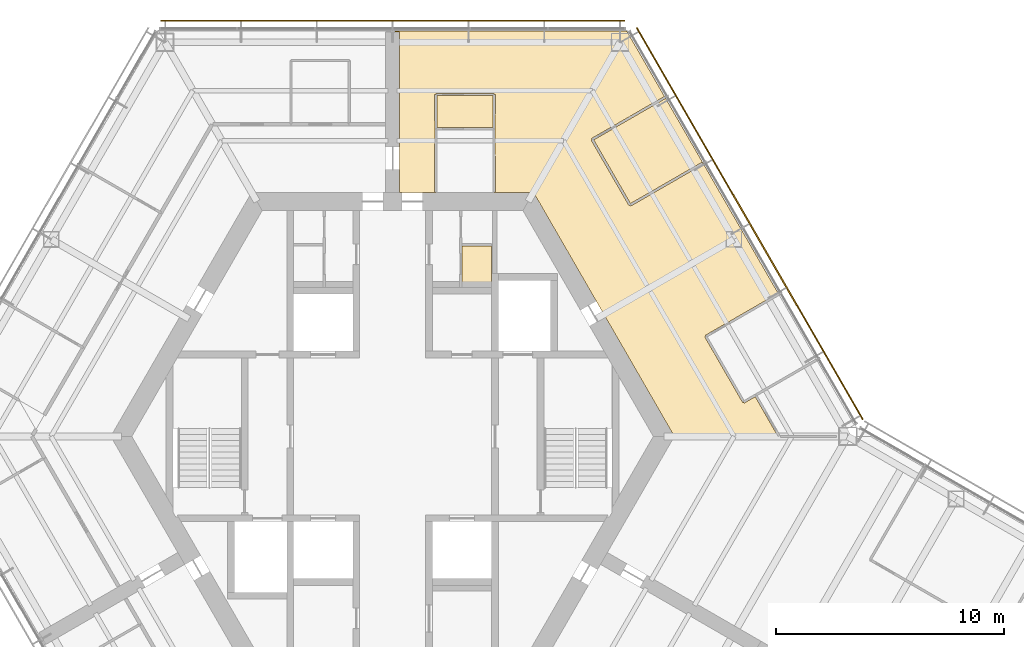
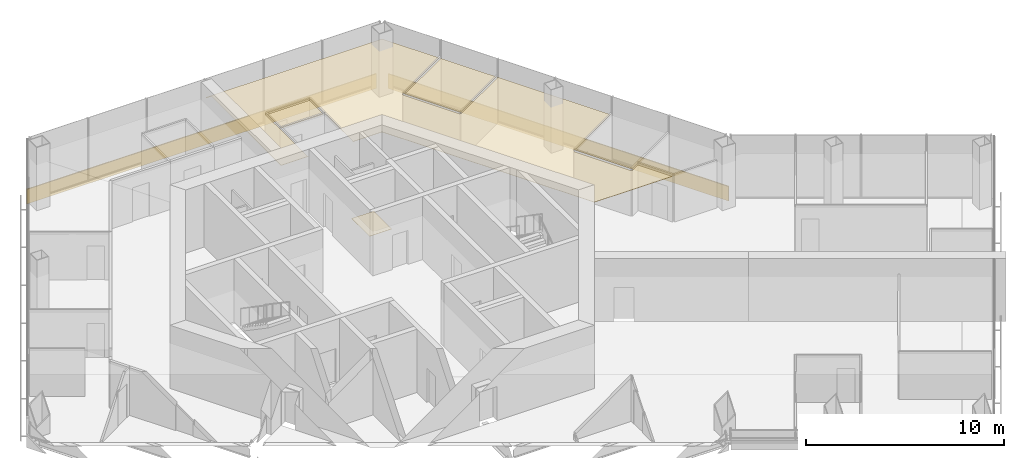
# One storey, part 16 of 16: 4 coverings, 2 shading devices.
"""IFC4 building model written with IfcOpenShell, lengths in metres."""

from ifc_helpers import new_model, si_unit, direction, frame, origin, origin_2d, place, context, subcontext, project, spatial, polyline, rectangle, outline, extrude, material, layer, layer_set, type_object, element, save


model = new_model("IFC4")

# Units and contexts
model_context = context("Model", 3, precision=1e-05, world=origin(), true_north=direction((0.0, 1.0)))
body_context = subcontext(model_context, "Body", "Model", "MODEL_VIEW")
ifc_project = project(units=[si_unit("LENGTHUNIT", "METRE"), si_unit("AREAUNIT", "SQUARE_METRE"), si_unit("VOLUMEUNIT", "CUBIC_METRE"), si_unit("PLANEANGLEUNIT", "RADIAN"), si_unit("MASSUNIT", "GRAM", prefix="KILO")], contexts=[model_context])

# Site, building, storey
site_placement = place(None, origin())
site = spatial("IfcSite", under=ifc_project, at=site_placement, CompositionType="ELEMENT")
building_placement = place(site_placement, origin())
building = spatial("IfcBuilding", under=site, at=building_placement, Name="Kasaneha Research Tower", CompositionType="ELEMENT")
storey_placement = place(building_placement, frame((0.0, 0.0, 247.89990234375)))
storey = spatial("IfcBuildingStorey", under=building, at=storey_placement, Name="L62", CompositionType="ELEMENT", Elevation=247.89990234375)

# Coverings
ifc_material_1 = material(Name="Gypsum ceiling board", Category="gypsum")
ifc_layer_1 = layer(ifc_material_1, 0.02001953125)
ifc_layer_set_1 = layer_set([ifc_layer_1], Name="Suspended ceiling 20")
covering_type_1 = type_object("IfcCoveringType", Name="Suspended ceiling 20", PredefinedType="CEILING", material=ifc_layer_set_1)
covering_1_placement = place(storey_placement, frame((0.0, 0.0, 2.800048828125)))
element("IfcCovering", 1, at=covering_1_placement, inside=storey, type_object=covering_type_1, Name="Ceiling L62-27", PredefinedType="CEILING", context=body_context, shape_type="SweptSolid", body=[
    extrude(outline(polyline([(1.9501953125, 14.97509765625), (4.414794921875, 14.97509765625), (4.41064453125, 13.570068359375), (1.954345703125, 13.570068359375), (1.9501953125, 14.97509765625)])), origin(), (0.0, 0.0, 1.0), 0.02001953125),
])
covering_2_placement = place(storey_placement, frame((0.0, 0.0, 2.800048828125)))
element("IfcCovering", 2, at=covering_2_placement, inside=storey, type_object=covering_type_1, Name="Ceiling L62-29", PredefinedType="CEILING", context=body_context, shape_type="SweptSolid", body=[
    extrude(outline(polyline([(13.640869140625, 12.0146484375), (13.623291015625, 12.004638671875), (13.598388671875, 12.0478515625), (10.454833984375, 10.23291015625), (8.83935546875, 13.031005859375), (12.000244140625, 14.85595703125), (13.640869140625, 12.0146484375)])), origin(), (0.0, 0.0, 1.0), 0.02001953125),
])
covering_3_placement = place(storey_placement, frame((0.0, 0.0, 2.800048828125)))
element("IfcCovering", 3, at=covering_3_placement, inside=storey, type_object=covering_type_1, Name="Ceiling L62-31", PredefinedType="CEILING", context=body_context, shape_type="SweptSolid", body=[
    extrude(outline(polyline([(4.465576171875, 10.72509765625), (4.465576171875, 10.7451171875), (4.514892578125, 10.7451171875), (4.510498046875, 13.52490234375), (4.514892578125, 15.02490234375), (4.46533203125, 15.02490234375), (4.46533203125, 15.025390625), (4.465087890625, 15.025390625), (4.465087890625, 15.074951171875), (1.89990234375, 15.074951171875), (1.89990234375, 15.025390625), (1.899658203125, 15.025390625), (1.899658203125, 15.02490234375), (1.85009765625, 15.02490234375), (1.8544921875, 13.52490234375), (1.85009765625, 10.7451171875), (1.8994140625, 10.7451171875), (1.8994140625, 10.72509765625), (0.300048828125, 10.72509765625), (0.300048828125, 11.72509765625), (0.300048828125, 12.72509765625), (0.300048828125, 17.7705078125), (0.300048828125, 17.7705078125), (0.0, 17.7705078125), (0.0, 17.820556640625), (10.28857421875, 17.820556640625), (11.9501953125, 14.9423828125), (8.74609375, 13.092529296875), (8.770751953125, 13.049560546875), (8.7705078125, 13.04931640625), (8.770751953125, 13.049072265625), (8.727783203125, 13.024169921875), (10.393310546875, 10.139404296875), (10.4365234375, 10.16455078125), (10.46142578125, 10.12109375), (13.6484375, 11.961181640625), (13.62353515625, 12.004150390625), (13.64111328125, 12.01416015625), (16.94677734375, 6.28857421875), (13.742431640625, 4.4384765625), (13.767333984375, 4.3955078125), (13.766845703125, 4.395263671875), (13.76708984375, 4.39501953125), (13.72412109375, 4.3701171875), (15.3896484375, 1.485595703125), (15.432373046875, 1.51025390625), (15.432373046875, 1.51025390625), (15.432861328125, 1.510498046875), (15.4580078125, 1.46728515625), (15.93798828125, 1.744384765625), (16.93994140625, 0.0), (12.38427734375, 0.0), (6.192138671875, 10.72509765625), (4.465576171875, 10.72509765625)])), origin(), (0.0, 0.0, 1.0), 0.02001953125),
])

# Shading devices
ifc_material_2 = material(Name="Terracotta", Category="masonry")
ifc_layer_2 = layer(ifc_material_2, 0.06005859375)
ifc_layer_set_2 = layer_set([ifc_layer_2], Name="Terracotta baguette screen")
shading_device_type = type_object("IfcShadingDeviceType", Name="Terracotta baguette screen", PredefinedType="USERDEFINED", material=ifc_layer_set_2)
shading_device_1_placement = place(storey_placement, frame((15.696044921875, 9.35498046875, -0.449951171875), z_axis=(0.0, 0.0, 1.0), x_axis=(-0.499999979232, 0.866025415775, 0.0)))
element("IfcShadingDevice", 4, at=shading_device_1_placement, inside=storey, type_object=shading_device_type, Name="Baguette screen L62 01", ObjectType="TERRACOTTA BAGUETTE SCREEN", PredefinedType="USERDEFINED", context=body_context, shape_type="SweptSolid", body=[
    extrude(rectangle(XDim=19.8857421875, YDim=0.06005859375, at=origin_2d()), origin(), (0.0, 0.0, 1.0), 0.89990234375),
])
shading_device_2_placement = place(storey_placement, frame((0.0, 18.2705078125, -0.449951171875), z_axis=(0.0, 0.0, 1.0), x_axis=(-1.0, 0.0, 0.0)))
element("IfcShadingDevice", 5, at=shading_device_2_placement, inside=storey, type_object=shading_device_type, Name="Baguette screen L62 02", ObjectType="TERRACOTTA BAGUETTE SCREEN", PredefinedType="USERDEFINED", context=body_context, shape_type="SweptSolid", body=[
    extrude(rectangle(XDim=20.392822265625, YDim=0.06005859375, at=origin_2d()), origin(), (0.0, 0.0, 1.0), 0.89990234375),
])

# Covering
ifc_material_3 = material(Name="Vinyl sheet flooring", Category="plastic")
ifc_layer_3 = layer(ifc_material_3, 0.0048828125)
ifc_layer_set_3 = layer_set([ifc_layer_3], Name="Wet room sheet flooring 5")
covering_type_2 = type_object("IfcCoveringType", Name="Wet room sheet flooring 5", PredefinedType="FLOORING", material=ifc_layer_set_3)
covering_4_placement = place(storey_placement, origin())
element("IfcCovering", 6, at=covering_4_placement, inside=storey, type_object=covering_type_2, Name="Floor finish L62-10", PredefinedType="FLOORING", context=body_context, shape_type="SweptSolid", body=[
    extrude(outline(polyline([(3.050048828125, 6.550048828125), (3.050048828125, 8.375), (4.35009765625, 8.375), (4.35009765625, 7.0), (4.35009765625, 6.550048828125), (3.050048828125, 6.550048828125)])), origin(), (0.0, 0.0, 1.0), 0.005126953125),
])

save(model, "model.ifc")
